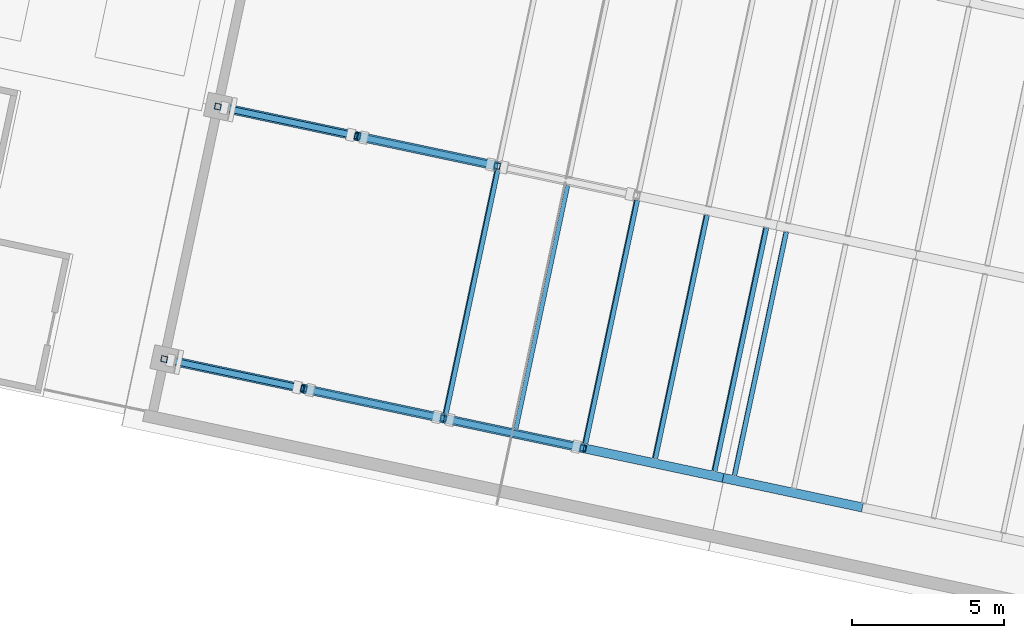
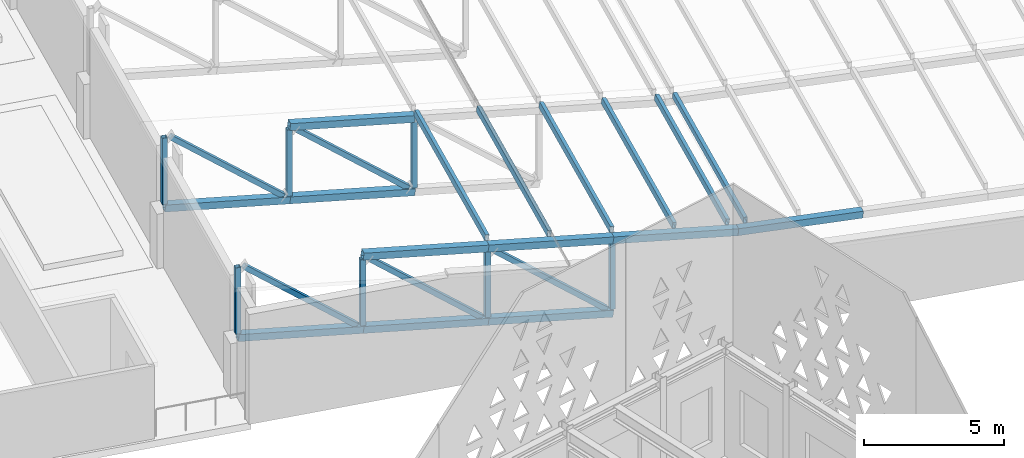
# One storey, part 50 of 196: 28 members.
"""IFC4 building model written with IfcOpenShell, lengths in metres."""

from ifc_helpers import new_model, si_unit, direction, frame, origin, origin_2d, place, context, subcontext, project, spatial, hollow_rectangle, extrude, material, material_profile, profile_set, type_object, element, save


model = new_model("IFC4")

# Units and contexts
model_context = context("Model", 3, precision=1e-05, world=origin(), true_north=direction((0.0, 1.0)))
body_context = subcontext(model_context, "Body", "Model", "MODEL_VIEW")
ifc_project = project(units=[si_unit("LENGTHUNIT", "METRE"), si_unit("AREAUNIT", "SQUARE_METRE"), si_unit("VOLUMEUNIT", "CUBIC_METRE"), si_unit("PLANEANGLEUNIT", "RADIAN"), si_unit("MASSUNIT", "GRAM", prefix="KILO")], contexts=[model_context])

# Site, building, storey
site_placement = place(None, origin())
site = spatial("IfcSite", under=ifc_project, at=site_placement, CompositionType="ELEMENT")
building_placement = place(site_placement, origin())
building = spatial("IfcBuilding", under=site, at=building_placement, Name="Okhra Congress Centre", CompositionType="ELEMENT")
storey_placement = place(building_placement, frame((0.0, 0.0, 12.0)))
storey = spatial("IfcBuildingStorey", under=building, at=storey_placement, Name="L02", CompositionType="ELEMENT", Elevation=12.0)

# Members
ifc_material = material(Name="Steel S355J2", Category="steel")
ifc_material_profile_1 = material_profile(ifc_material, hollow_rectangle(XDim=0.14990234375, YDim=0.25, WallThickness=0.008056640625, at=origin_2d()), Name="RHS 250x150x8")
ifc_profile_set_1 = profile_set([ifc_material_profile_1], Name="Steel S355J2")
member_type_1 = type_object("IfcMemberType", Name="Steel roof purlin RHS 250x150x8", PredefinedType="PURLIN", material=ifc_profile_set_1)
for number, where, z_axis, x_axis, name in (
    (1, (209.212890625, 93.858642578125, 4.537109375), (0.207908251916, 0.978148331689, 0.0), (-0.968629059364, 0.2058849031, 0.13917310096), "Roof purlin 1.5"),
    (2, (211.511474609375, 93.3701171875, 4.206787109375), (0.207908251916, 0.978148331689, 0.0), (-0.968629059364, 0.2058849031, 0.13917310096), "Roof purlin 1.6"),
):
    element("IfcMember", number, at=place(storey_placement, frame(where, z_axis=z_axis, x_axis=x_axis)), inside=storey, type_object=member_type_1, Name=name, PredefinedType="PURLIN", context=body_context, shape_type="SweptSolid", body=[
        extrude(hollow_rectangle(XDim=0.14990234375, YDim=0.25, WallThickness=0.008056640625, at=origin_2d()), origin(), (0.0, 0.0, 1.0), 8.199951171875),
    ])
member_1_placement = place(storey_placement, frame((213.810302734375, 92.88134765625, 3.87646484375), z_axis=(0.2079021972, 0.978149618616, 0.0), x_axis=(-0.968630333768, 0.205878907308, 0.13917310096)))
element("IfcMember", 3, at=member_1_placement, inside=storey, type_object=member_type_1, Name="Roof purlin 1.7", PredefinedType="PURLIN", context=body_context, shape_type="SweptSolid", body=[
    extrude(hollow_rectangle(XDim=0.14990234375, YDim=0.25, WallThickness=0.008056640625, at=origin_2d()), origin(), (0.0, 0.0, 1.0), 8.2001953125),
])
for number, where, z_axis, x_axis, name in (
    (4, (216.10888671875, 92.392822265625, 3.546142578125), (0.207908251916, 0.978148331689, 0.0), (-0.968629059364, 0.2058849031, 0.13917310096), "Roof purlin 1.8"),
    (5, (218.065185546875, 91.97705078125, 3.26513671875), (0.207908251916, 0.978148331689, 0.0), (-0.968629059364, 0.2058849031, 0.13917310096), "Roof purlin 1.9"),
    (6, (218.7265625, 91.83642578125, 3.199951171875), (0.207908251916, 0.978148331689, 0.0), (-0.976807813395, 0.207623320882, 0.052335956243), "Roof purlin 1.10"),
):
    element("IfcMember", number, at=place(storey_placement, frame(where, z_axis=z_axis, x_axis=x_axis)), inside=storey, type_object=member_type_1, Name=name, PredefinedType="PURLIN", context=body_context, shape_type="SweptSolid", body=[
        extrude(hollow_rectangle(XDim=0.14990234375, YDim=0.25, WallThickness=0.008056640625, at=origin_2d()), origin(), (0.0, 0.0, 1.0), 8.199951171875),
    ])
ifc_material_profile_2 = material_profile(ifc_material, hollow_rectangle(XDim=0.300048828125, YDim=0.300048828125, WallThickness=0.01611328125, at=origin_2d()), Name="RHS 300x300x16")
ifc_profile_set_2 = profile_set([ifc_material_profile_2], Name="Steel S355J2")
member_type_2 = type_object("IfcMemberType", Name="Steel truss chord RHS 300x300x16", PredefinedType="CHORD", material=ifc_profile_set_2)
member_2_placement = place(storey_placement, frame((199.94970703125, 95.67431640625, 2.3857421875), z_axis=(0.96862609733, -0.205916636623, -0.139146765442), x_axis=(0.207939520185, 0.978141685005, 0.0)))
element("IfcMember", 7, at=member_2_placement, inside=storey, type_object=member_type_2, Name="Hall truss 1 bottom chord 1", PredefinedType="CHORD", context=body_context, shape_type="SweptSolid", body=[
    extrude(hollow_rectangle(XDim=0.300048828125, YDim=0.300048828125, WallThickness=0.01611328125, at=origin_2d()), origin(), (0.0, 0.0, 1.0), 4.74609375),
])
for number, where, z_axis, x_axis, name in (
    (8, (204.546875, 94.697021484375, 1.725341796875), (0.968632598297, -0.205855645392, -0.139191748234), (0.207879256857, 0.978154494223, 0.0), "Hall truss 1 bottom chord 2"),
    (9, (204.546875, 94.697021484375, 4.92529296875), (0.968632598297, -0.205855645392, -0.139191748234), (0.207879256857, 0.978154494223, 0.0), "Hall truss 1 top chord 2"),
):
    element("IfcMember", number, at=place(storey_placement, frame(where, z_axis=z_axis, x_axis=x_axis)), inside=storey, type_object=member_type_2, Name=name, PredefinedType="CHORD", context=body_context, shape_type="SweptSolid", body=[
        extrude(hollow_rectangle(XDim=0.300048828125, YDim=0.300048828125, WallThickness=0.01611328125, at=origin_2d()), origin(), (0.0, 0.0, 1.0), 4.746337890625),
    ])
for number, where, z_axis, x_axis, name in (
    (10, (209.144287109375, 93.719970703125, 1.064697265625), (0.968619162901, -0.205915162458, -0.139197209496), (0.207939520185, 0.978141685005, 0.0), "Hall truss 1 bottom chord 3"),
    (11, (209.144287109375, 93.719970703125, 4.2646484375), (0.96862609733, -0.205916636623, -0.139146765442), (0.207939520185, 0.978141685005, 0.0), "Hall truss 1 top chord 3"),
):
    element("IfcMember", number, at=place(storey_placement, frame(where, z_axis=z_axis, x_axis=x_axis)), inside=storey, type_object=member_type_2, Name=name, PredefinedType="CHORD", context=body_context, shape_type="SweptSolid", body=[
        extrude(hollow_rectangle(XDim=0.300048828125, YDim=0.300048828125, WallThickness=0.01611328125, at=origin_2d()), origin(), (0.0, 0.0, 1.0), 4.74609375),
    ])
member_3_placement = place(storey_placement, frame((213.741455078125, 92.74267578125, 3.604248046875), z_axis=(0.968622340481, -0.205904903029, -0.139190274194), x_axis=(0.207928955205, 0.978143930916, 0.0)))
element("IfcMember", 12, at=member_3_placement, inside=storey, type_object=member_type_2, Name="Hall truss 1 top chord 4", PredefinedType="CHORD", context=body_context, shape_type="SweptSolid", body=[
    extrude(hollow_rectangle(XDim=0.300048828125, YDim=0.300048828125, WallThickness=0.01611328125, at=origin_2d()), origin(), (0.0, 0.0, 1.0), 4.746337890625),
])
member_4_placement = place(storey_placement, frame((218.3388671875, 91.765380859375, 2.943603515625), z_axis=(0.976813785854, -0.20759432696, -0.052339499226), x_axis=(0.207879256857, 0.978154494223, 0.0)))
element("IfcMember", 13, at=member_4_placement, inside=storey, type_object=member_type_2, Name="Hall truss 1 top chord 5", PredefinedType="CHORD", context=body_context, shape_type="SweptSolid", body=[
    extrude(hollow_rectangle(XDim=0.300048828125, YDim=0.300048828125, WallThickness=0.01611328125, at=origin_2d()), origin(), (0.0, 0.0, 1.0), 4.70654296875),
])
member_5_placement = place(storey_placement, frame((201.717041015625, 103.988525390625, 2.3857421875), z_axis=(0.96862609733, -0.205916636623, -0.139146765442), x_axis=(0.207939520185, 0.978141685005, 0.0)))
element("IfcMember", 14, at=member_5_placement, inside=storey, type_object=member_type_2, Name="Hall truss 2 bottom chord 1", PredefinedType="CHORD", context=body_context, shape_type="SweptSolid", body=[
    extrude(hollow_rectangle(XDim=0.300048828125, YDim=0.300048828125, WallThickness=0.01611328125, at=origin_2d()), origin(), (0.0, 0.0, 1.0), 4.74609375),
])
for number, where, z_axis, x_axis, name in (
    (15, (206.314208984375, 103.01123046875, 1.725341796875), (0.968632598297, -0.205855645392, -0.139191748234), (0.207879256857, 0.978154494223, 0.0), "Hall truss 2 bottom chord 2"),
    (16, (206.314208984375, 103.01123046875, 4.92529296875), (0.968632598297, -0.205855645392, -0.139191748234), (0.207879256857, 0.978154494223, 0.0), "Hall truss 2 top chord 2"),
):
    element("IfcMember", number, at=place(storey_placement, frame(where, z_axis=z_axis, x_axis=x_axis)), inside=storey, type_object=member_type_2, Name=name, PredefinedType="CHORD", context=body_context, shape_type="SweptSolid", body=[
        extrude(hollow_rectangle(XDim=0.300048828125, YDim=0.300048828125, WallThickness=0.01611328125, at=origin_2d()), origin(), (0.0, 0.0, 1.0), 4.746337890625),
    ])
ifc_material_profile_3 = material_profile(ifc_material, hollow_rectangle(XDim=0.199951171875, YDim=0.199951171875, WallThickness=0.010009765625, at=origin_2d()), Name="RHS 200x200x10 diagonal")
ifc_profile_set_3 = profile_set([ifc_material_profile_3], Name="Steel S355J2")
member_type_3 = type_object("IfcMemberType", Name="Steel truss diagonal RHS 200x200x10", PredefinedType="BRACE", material=ifc_profile_set_3)
member_6_placement = place(storey_placement, frame((200.17333984375, 95.626708984375, 5.398193359375), z_axis=(0.755829226515, -0.160645390635, -0.634756046693), x_axis=(0.207897982731, 0.978150514377, 0.0)))
element("IfcMember", 17, at=member_6_placement, inside=storey, type_object=member_type_3, Name="Hall truss 1 diagonal 1", PredefinedType="BRACE", context=body_context, shape_type="SweptSolid", body=[
    extrude(hollow_rectangle(XDim=0.199951171875, YDim=0.199951171875, WallThickness=0.010009765625, at=origin_2d()), origin(), (0.0, 0.0, 1.0), 5.490966796875),
])
for number, where, z_axis, x_axis, name in (
    (18, (204.7705078125, 94.6494140625, 4.737548828125), (0.755850558635, -0.160649924604, -0.634729497295), (0.207897982731, 0.978150514377, 0.0), "Hall truss 1 diagonal 2"),
    (19, (209.367919921875, 93.67236328125, 4.076904296875), (0.755850558635, -0.160649924604, -0.634729497295), (0.207897982731, 0.978150514377, 0.0), "Hall truss 1 diagonal 3"),
):
    element("IfcMember", number, at=place(storey_placement, frame(where, z_axis=z_axis, x_axis=x_axis)), inside=storey, type_object=member_type_3, Name=name, PredefinedType="BRACE", context=body_context, shape_type="SweptSolid", body=[
        extrude(hollow_rectangle(XDim=0.199951171875, YDim=0.199951171875, WallThickness=0.010009765625, at=origin_2d()), origin(), (0.0, 0.0, 1.0), 5.49072265625),
    ])
member_7_placement = place(storey_placement, frame((201.9404296875, 103.94091796875, 5.398193359375), z_axis=(0.755848287897, -0.16063999201, -0.634734715177), x_axis=(0.207886281963, 0.978153001208, 0.0)))
element("IfcMember", 20, at=member_7_placement, inside=storey, type_object=member_type_3, Name="Hall truss 2 diagonal 1", PredefinedType="BRACE", context=body_context, shape_type="SweptSolid", body=[
    extrude(hollow_rectangle(XDim=0.199951171875, YDim=0.199951171875, WallThickness=0.010009765625, at=origin_2d()), origin(), (0.0, 0.0, 1.0), 5.490966796875),
])
member_8_placement = place(storey_placement, frame((206.537841796875, 102.9638671875, 4.737548828125), z_axis=(0.75584515875, -0.160693240998, -0.634724962713), x_axis=(0.207953036353, 0.978138811556, 0.0)))
element("IfcMember", 21, at=member_8_placement, inside=storey, type_object=member_type_3, Name="Hall truss 2 diagonal 2", PredefinedType="BRACE", context=body_context, shape_type="SweptSolid", body=[
    extrude(hollow_rectangle(XDim=0.199951171875, YDim=0.199951171875, WallThickness=0.010009765625, at=origin_2d()), origin(), (0.0, 0.0, 1.0), 5.49072265625),
])
ifc_material_profile_4 = material_profile(ifc_material, hollow_rectangle(XDim=0.199951171875, YDim=0.199951171875, WallThickness=0.010009765625, at=origin_2d()), Name="RHS 200x200x10")
ifc_profile_set_4 = profile_set([ifc_material_profile_4], Name="Steel S355J2")
member_type_4 = type_object("IfcMemberType", Name="Steel truss post RHS 200x200x10", PredefinedType="POST", material=ifc_profile_set_4)
for number, where, z_axis, x_axis, name in (
    (22, (199.94970703125, 95.67431640625, 2.537353515625), (0.0, 0.0, 1.0), (0.978147600734, -0.207911690818, 0.0), "Hall truss 1 post 1"),
    (23, (204.546875, 94.697021484375, 1.876708984375), (0.0, 0.0, 1.0), (0.978147600734, -0.207911690818, 0.0), "Hall truss 1 post 2"),
):
    element("IfcMember", number, at=place(storey_placement, frame(where, z_axis=z_axis, x_axis=x_axis)), inside=storey, type_object=member_type_4, Name=name, PredefinedType="POST", context=body_context, shape_type="SweptSolid", body=[
        extrude(hollow_rectangle(XDim=0.199951171875, YDim=0.199951171875, WallThickness=0.010009765625, at=origin_2d()), origin(), (0.0, 0.0, 1.0), 2.89697265625),
    ])
member_9_placement = place(storey_placement, frame((209.144287109375, 93.719970703125, 1.216064453125), z_axis=(0.0, 0.0, 1.0), x_axis=(0.978147600734, -0.207911690818, 0.0)))
element("IfcMember", 24, at=member_9_placement, inside=storey, type_object=member_type_4, Name="Hall truss 1 post 3", PredefinedType="POST", context=body_context, shape_type="SweptSolid", body=[
    extrude(hollow_rectangle(XDim=0.199951171875, YDim=0.199951171875, WallThickness=0.010009765625, at=origin_2d()), origin(), (0.0, 0.0, 1.0), 2.897216796875),
])
for number, where, z_axis, x_axis, name in (
    (25, (213.741455078125, 92.74267578125, 0.5556640625), (0.0, 0.0, 1.0), (0.978147600734, -0.207911690818, 0.0), "Hall truss 1 post 4"),
    (26, (201.717041015625, 103.988525390625, 2.537353515625), (0.0, 0.0, 1.0), (0.978147600734, -0.207911690818, 0.0), "Hall truss 2 post 1"),
    (27, (206.314208984375, 103.01123046875, 1.876708984375), (0.0, 0.0, 1.0), (0.978147600734, -0.207911690818, 0.0), "Hall truss 2 post 2"),
):
    element("IfcMember", number, at=place(storey_placement, frame(where, z_axis=z_axis, x_axis=x_axis)), inside=storey, type_object=member_type_4, Name=name, PredefinedType="POST", context=body_context, shape_type="SweptSolid", body=[
        extrude(hollow_rectangle(XDim=0.199951171875, YDim=0.199951171875, WallThickness=0.010009765625, at=origin_2d()), origin(), (0.0, 0.0, 1.0), 2.89697265625),
    ])
member_10_placement = place(storey_placement, frame((210.91162109375, 102.0341796875, 1.216064453125), z_axis=(0.0, 0.0, 1.0), x_axis=(0.978147600734, -0.207911690818, 0.0)))
element("IfcMember", 28, at=member_10_placement, inside=storey, type_object=member_type_4, Name="Hall truss 2 post 3", PredefinedType="POST", context=body_context, shape_type="SweptSolid", body=[
    extrude(hollow_rectangle(XDim=0.199951171875, YDim=0.199951171875, WallThickness=0.010009765625, at=origin_2d()), origin(), (0.0, 0.0, 1.0), 2.897216796875),
])

save(model, "model.ifc")
